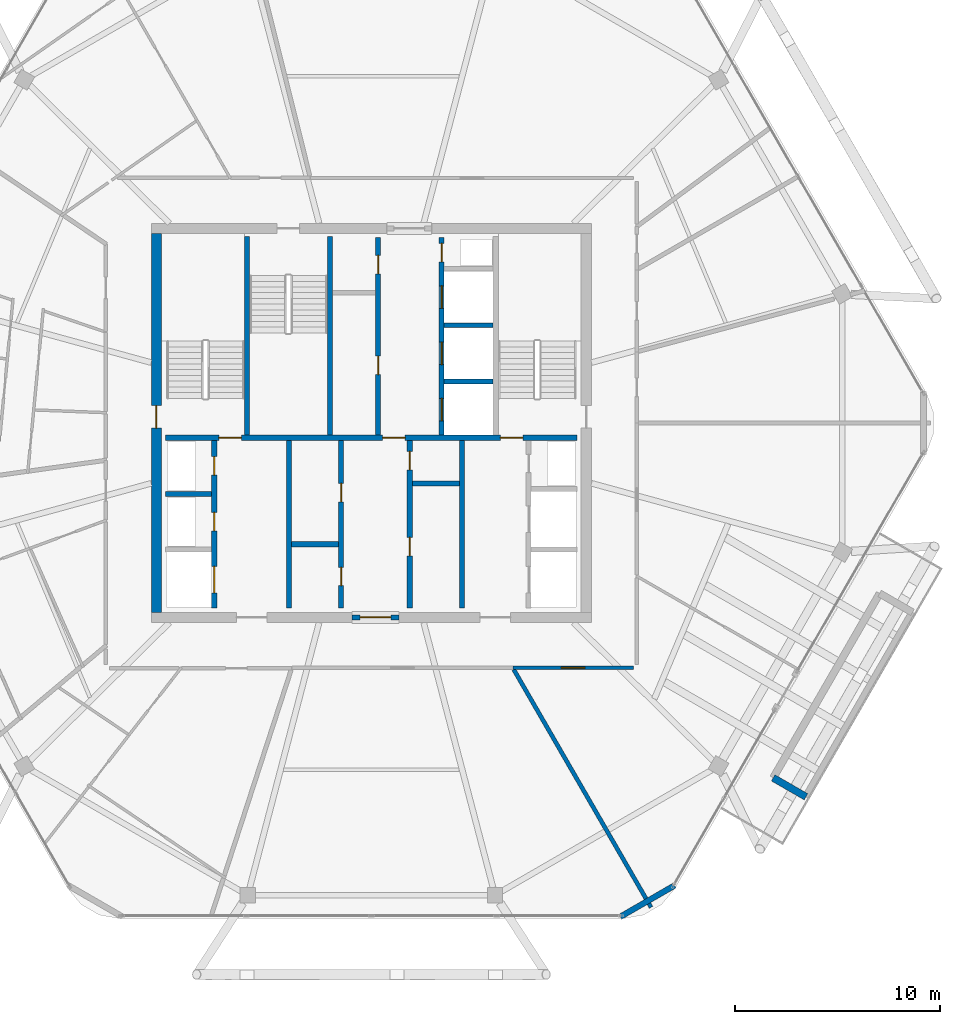
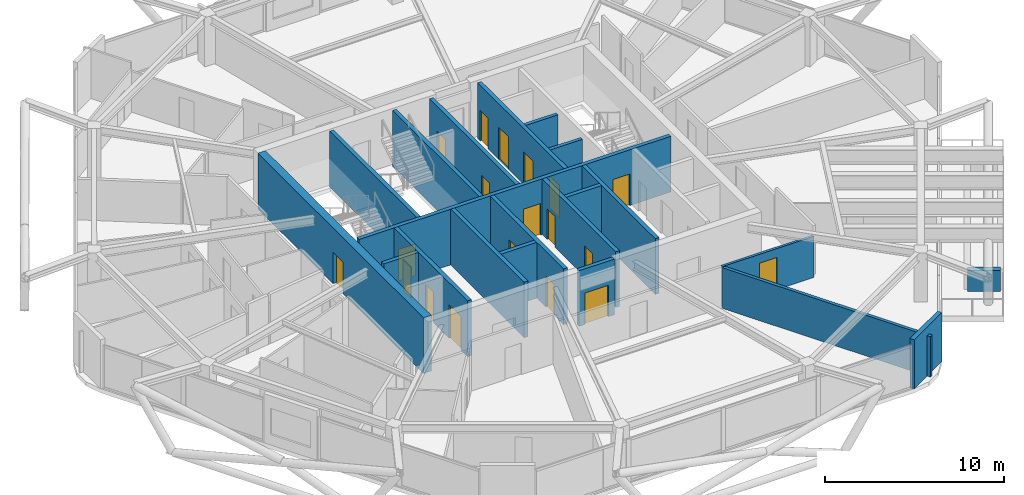
# One storey, part 18 of 23: 21 walls, 19 doors, 19 openings.
"""IFC4 building model written with IfcOpenShell, lengths in metres."""

from ifc_helpers import new_model, si_unit, direction, frame, frame_2d, origin, place, context, subcontext, project, spatial, rectangle, extrude, material, layer, layer_set, type_object, element, fill, save


model = new_model("IFC4")

# Units and contexts
model_context = context("Model", 3, precision=1e-05, world=origin(), true_north=direction((0.0, 1.0)))
body_context = subcontext(model_context, "Body", "Model", "MODEL_VIEW")
ifc_project = project(units=[si_unit("LENGTHUNIT", "METRE"), si_unit("AREAUNIT", "SQUARE_METRE"), si_unit("VOLUMEUNIT", "CUBIC_METRE"), si_unit("PLANEANGLEUNIT", "RADIAN"), si_unit("MASSUNIT", "GRAM", prefix="KILO")], contexts=[model_context])

# Site, building, storey
site_placement = place(None, origin())
site = spatial("IfcSite", under=ifc_project, at=site_placement, CompositionType="ELEMENT")
building_placement = place(site_placement, origin())
building = spatial("IfcBuilding", under=site, at=building_placement, Name="Zuhravey Tower", CompositionType="ELEMENT")
storey_placement = place(building_placement, frame((0.0, 0.0, 353.800048828125)))
storey = spatial("IfcBuildingStorey", under=building, at=storey_placement, Name="L90", CompositionType="ELEMENT", Elevation=353.800048828125)

# Wall, opening, door
ifc_material_1 = material(Name="Concrete C50/60", Category="concrete")
ifc_layer_1 = layer(ifc_material_1, 0.5)
ifc_layer_set_1 = layer_set([ifc_layer_1], Name="Concrete C50/60")
wall_type_1 = type_object("IfcWallType", Name="Core Shear Wall 500", PredefinedType="SHEAR", material=ifc_layer_set_1)
wall_1_placement = place(storey_placement, frame((25.5, 22.75, 0.0), z_axis=(0.0, 0.0, 1.0), x_axis=(0.0, 1.0, 0.0)))
wall_1 = element("IfcWall", 1, at=wall_1_placement, inside=storey, type_object=wall_type_1, Name="L90 West Core Shear Wall CW50", PredefinedType="SHEAR", context=body_context, shape_type="SweptSolid", body=[
    extrude(rectangle(XDim=18.5, YDim=0.5, at=frame_2d((9.25, 0.0))), origin(), (0.0, 0.0, 1.0), 3.800048828125),
])
opening_1_placement = place(wall_1_placement, frame((9.0, 0.0, 0.0)))
opening_1 = element("IfcOpeningElement", 2, at=opening_1_placement, cuts=wall_1, Name="Opening STD1", PredefinedType="OPENING", context=body_context, shape_type="SweptSolid", body=[
    extrude(rectangle(XDim=1.10009765625, YDim=2.14990234375, at=frame_2d((0.550048828125, 1.074951171875))), frame((0.0, 0.261962890625, 0.0), z_axis=(0.0, -1.0, 0.0), x_axis=(1.0, 0.0, 0.0)), (0.0, 0.0, 1.0), 0.52392578125),
])
ifc_material_2 = material(Name="Galvanised fire-rated steel leaf", Category="steel")
door_type_1 = type_object("IfcDoorType", Name="Protected Stair Fire Door 1100x2150", OperationType="NOTDEFINED", PredefinedType="USERDEFINED", material=ifc_material_2)
door_1_placement = place(opening_1_placement, frame((1.10009765625, 0.0, 0.0), z_axis=(0.0, 0.0, 1.0), x_axis=(-1.0, 0.0, 0.0)))
door_1 = element("IfcDoor", 3, at=door_1_placement, inside=storey, type_object=door_type_1, Name="L90 Stair ST1 Door", ObjectType="EXITDOOR", OperationType="SINGLE_SWING_RIGHT", OverallHeight=2.14990234375, OverallWidth=1.10009765625, PredefinedType="USERDEFINED", context=body_context, shape_type="SweptSolid", body=[
    extrude(rectangle(XDim=1.10009765625, YDim=2.14990234375, at=frame_2d((0.550048828125, 1.074951171875))), frame((0.0, 0.02490234375, 0.0), z_axis=(0.0, -1.0, 0.0), x_axis=(1.0, 0.0, 0.0)), (0.0, 0.0, 1.0), 0.050048828125),
])
fill(opening_1, door_1)

ifc_material_3 = material(Name="Gypsum fire-rated stud partition")
ifc_layer_2 = layer(ifc_material_3, 0.159912109375)
ifc_layer_set_2 = layer_set([ifc_layer_2], Name="Gypsum fire-rated stud partition")
wall_type_2 = type_object("IfcWallType", Name="Corridor Fire Partition 160", PredefinedType="PARTITIONING", material=ifc_layer_set_2)
wall_2_placement = place(storey_placement, frame((42.905029296875, 20.0400390625, 0.0), z_axis=(0.0, 0.0, 1.0), x_axis=(1.0, 0.0, 0.0)))
wall_2 = element("IfcWall", 4, at=wall_2_placement, inside=storey, type_object=wall_type_2, Name="L90 IW16 Partition 022", PredefinedType="PARTITIONING", context=body_context, shape_type="SweptSolid", body=[
    extrude(rectangle(XDim=5.89501953125, YDim=0.159912109375, at=frame_2d((2.947509765625, 0.0))), origin(), (0.0, 0.0, 1.0), 2.800048828125),
])
opening_2_placement = place(wall_2_placement, frame((2.372314453125, 0.0, 0.0)))
opening_2 = element("IfcOpeningElement", 5, at=opening_2_placement, cuts=wall_2, Name="Opening CLD1", PredefinedType="OPENING", context=body_context, shape_type="SweptSolid", body=[
    extrude(rectangle(XDim=1.14990234375, YDim=2.199951171875, at=frame_2d((0.574951171875, 1.10009765625))), frame((0.0, 0.092041015625, 0.0), z_axis=(0.0, -1.0, 0.0), x_axis=(1.0, 0.0, 0.0)), (0.0, 0.0, 1.0), 0.183837890625),
])
ifc_material_4 = material(Name="Acoustic timber leaf with vision lite", Category="wood")
door_type_2 = type_object("IfcDoorType", Name="Classroom Acoustic Door 1150x2200", OperationType="NOTDEFINED", PredefinedType="DOOR", material=ifc_material_4)
door_2_placement = place(opening_2_placement, frame((1.14990234375, 0.0, 0.0), z_axis=(0.0, 0.0, 1.0), x_axis=(-1.0, 0.0, 0.0)))
door_2 = element("IfcDoor", 6, at=door_2_placement, inside=storey, type_object=door_type_2, Name="L90 Door 022.1", OperationType="SINGLE_SWING_LEFT", OverallHeight=2.199951171875, OverallWidth=1.14990234375, PredefinedType="DOOR", context=body_context, shape_type="SweptSolid", body=[
    extrude(rectangle(XDim=1.14990234375, YDim=2.199951171875, at=frame_2d((0.574951171875, 1.10009765625))), frame((0.0, 0.02490234375, 0.0), z_axis=(0.0, -1.0, 0.0), x_axis=(1.0, 0.0, 0.0)), (0.0, 0.0, 1.0), 0.050048828125),
])
fill(opening_2, door_2)

# Wall
ifc_material_5 = material(Name="Precast concrete C40/50", Category="concrete")
ifc_layer_3 = layer(ifc_material_5, 0.280029296875)
ifc_layer_set_3 = layer_set([ifc_layer_3], Name="Precast concrete C40/50")
wall_type_3 = type_object("IfcWallType", Name="Crown Architectural Wall 280", PredefinedType="SOLIDWALL", material=ifc_layer_set_3)
wall_3_placement = place(storey_placement, frame((50.811279296875, 9.410888671875, 0.0), z_axis=(0.0, 0.0, 1.0), x_axis=(-0.866023752521, -0.50000286006, 0.0)))
element("IfcWall", 7, at=wall_3_placement, inside=storey, type_object=wall_type_3, Name="L90 Rounded Corner Closure Wall EW28-02", PredefinedType="SOLIDWALL", context=body_context, shape_type="SweptSolid", body=[
    extrude(rectangle(XDim=3.06494140625, YDim=0.280029296875, at=frame_2d((1.532470703125, 0.0))), origin(), (0.0, 0.0, 1.0), 3.349853515625),
])

# Wall, opening, door
ifc_layer_4 = layer(ifc_material_1, 0.25)
ifc_layer_set_4 = layer_set([ifc_layer_4], Name="Concrete C50/60")
wall_type_4 = type_object("IfcWallType", Name="Firefighting Shaft & Stair Wall 250", PredefinedType="SOLIDWALL", material=ifc_layer_set_4)
wall_4_placement = place(storey_placement, frame((35.06005859375, 22.5, 0.0), z_axis=(0.0, 0.0, 1.0), x_axis=(1.0, 0.0, 0.0)))
wall_4 = element("IfcWall", 8, at=wall_4_placement, inside=storey, type_object=wall_type_4, Name="L90 FW25 Shaft Wall 001", PredefinedType="SOLIDWALL", context=body_context, shape_type="SweptSolid", body=[
    extrude(rectangle(XDim=2.280029296875, YDim=0.25, at=frame_2d((1.14013671875, 0.0))), origin(), (0.0, 0.0, 1.0), 3.800048828125),
])
opening_3_placement = place(wall_4_placement, frame((0.389892578125, 0.0, 0.0)))
opening_3 = element("IfcOpeningElement", 9, at=opening_3_placement, cuts=wall_4, Name="Opening FFD1", PredefinedType="OPENING", context=body_context, shape_type="SweptSolid", body=[
    extrude(rectangle(XDim=1.5, YDim=2.14990234375, at=frame_2d((0.75, 1.074951171875))), frame((0.0, 0.136962890625, 0.0), z_axis=(0.0, -1.0, 0.0), x_axis=(1.0, 0.0, 0.0)), (0.0, 0.0, 1.0), 0.27392578125),
])
door_type_3 = type_object("IfcDoorType", Name="Firefighting Lobby Double Door 1500x2150", OperationType="DOUBLE_DOOR_SINGLE_SWING", PredefinedType="DOOR", material=ifc_material_2)
door_3_placement = place(opening_3_placement, frame((1.5, 0.0, 0.0), z_axis=(0.0, 0.0, 1.0), x_axis=(-1.0, 0.0, 0.0)))
door_3 = element("IfcDoor", 10, at=door_3_placement, inside=storey, type_object=door_type_3, Name="L90 South Lift Lobby Exit Door", OperationType="DOUBLE_DOOR_SINGLE_SWING", OverallHeight=2.14990234375, OverallWidth=1.5, PredefinedType="DOOR", context=body_context, shape_type="SweptSolid", body=[
    extrude(rectangle(XDim=1.5, YDim=2.14990234375, at=frame_2d((0.75, 1.074951171875))), frame((0.0, 0.02490234375, 0.0), z_axis=(0.0, -1.0, 0.0), x_axis=(1.0, 0.0, 0.0)), (0.0, 0.0, 1.0), 0.050048828125),
])
fill(opening_3, door_3)

# Wall, openings, doors
wall_5_placement = place(storey_placement, frame((25.949951171875, 31.27490234375, 0.0), z_axis=(0.0, 0.0, 1.0), x_axis=(1.0, 0.0, 0.0)))
wall_5 = element("IfcWall", 11, at=wall_5_placement, inside=storey, type_object=wall_type_4, Name="L90 FW25 Shaft Wall 003", PredefinedType="SOLIDWALL", context=body_context, shape_type="SweptSolid", body=[
    extrude(rectangle(XDim=20.10009765625, YDim=0.25, at=frame_2d((10.050048828125, 0.0))), origin(), (0.0, 0.0, 1.0), 3.800048828125),
])
opening_4_placement = place(wall_5_placement, frame((2.60009765625, 0.0, 0.0)))
opening_4 = element("IfcOpeningElement", 12, at=opening_4_placement, cuts=wall_5, Name="Opening STD1", PredefinedType="OPENING", context=body_context, shape_type="SweptSolid", body=[
    extrude(rectangle(XDim=1.10009765625, YDim=2.14990234375, at=frame_2d((0.550048828125, 1.074951171875))), frame((0.0, 0.136962890625, 0.0), z_axis=(0.0, -1.0, 0.0), x_axis=(1.0, 0.0, 0.0)), (0.0, 0.0, 1.0), 0.27392578125),
])
opening_5_placement = place(wall_5_placement, frame((10.60009765625, 0.0, 0.0)))
opening_5 = element("IfcOpeningElement", 13, at=opening_5_placement, cuts=wall_5, Name="Opening STD1", PredefinedType="OPENING", context=body_context, shape_type="SweptSolid", body=[
    extrude(rectangle(XDim=1.10009765625, YDim=2.14990234375, at=frame_2d((0.550048828125, 1.074951171875))), frame((0.0, 0.136962890625, 0.0), z_axis=(0.0, -1.0, 0.0), x_axis=(1.0, 0.0, 0.0)), (0.0, 0.0, 1.0), 0.27392578125),
])
opening_6_placement = place(wall_5_placement, frame((16.35009765625, 0.0, 0.0)))
opening_6 = element("IfcOpeningElement", 14, at=opening_6_placement, cuts=wall_5, Name="Opening STD1", PredefinedType="OPENING", context=body_context, shape_type="SweptSolid", body=[
    extrude(rectangle(XDim=1.10009765625, YDim=2.14990234375, at=frame_2d((0.550048828125, 1.074951171875))), frame((0.0, 0.136962890625, 0.0), z_axis=(0.0, -1.0, 0.0), x_axis=(1.0, 0.0, 0.0)), (0.0, 0.0, 1.0), 0.27392578125),
])
door_4_placement = place(opening_4_placement, origin())
door_4 = element("IfcDoor", 15, at=door_4_placement, inside=storey, type_object=door_type_1, Name="L90 FFL-W to ST1 Door", ObjectType="EXITDOOR", OperationType="SINGLE_SWING_LEFT", OverallHeight=2.14990234375, OverallWidth=1.10009765625, PredefinedType="USERDEFINED", context=body_context, shape_type="SweptSolid", body=[
    extrude(rectangle(XDim=1.10009765625, YDim=2.14990234375, at=frame_2d((0.550048828125, 1.074951171875))), frame((0.0, 0.02490234375, 0.0), z_axis=(0.0, -1.0, 0.0), x_axis=(1.0, 0.0, 0.0)), (0.0, 0.0, 1.0), 0.050048828125),
])
fill(opening_4, door_4)
door_5_placement = place(opening_5_placement, origin())
door_5 = element("IfcDoor", 16, at=door_5_placement, inside=storey, type_object=door_type_1, Name="L90 Core Lobby Link Door", ObjectType="EXITDOOR", OperationType="SINGLE_SWING_RIGHT", OverallHeight=2.14990234375, OverallWidth=1.10009765625, PredefinedType="USERDEFINED", context=body_context, shape_type="SweptSolid", body=[
    extrude(rectangle(XDim=1.10009765625, YDim=2.14990234375, at=frame_2d((0.550048828125, 1.074951171875))), frame((0.0, 0.02490234375, 0.0), z_axis=(0.0, -1.0, 0.0), x_axis=(1.0, 0.0, 0.0)), (0.0, 0.0, 1.0), 0.050048828125),
])
fill(opening_5, door_5)
door_6_placement = place(opening_6_placement, origin())
door_6 = element("IfcDoor", 17, at=door_6_placement, inside=storey, type_object=door_type_1, Name="L90 FFL-E to ST2 Door", ObjectType="EXITDOOR", OperationType="SINGLE_SWING_LEFT", OverallHeight=2.14990234375, OverallWidth=1.10009765625, PredefinedType="USERDEFINED", context=body_context, shape_type="SweptSolid", body=[
    extrude(rectangle(XDim=1.10009765625, YDim=2.14990234375, at=frame_2d((0.550048828125, 1.074951171875))), frame((0.0, 0.02490234375, 0.0), z_axis=(0.0, -1.0, 0.0), x_axis=(1.0, 0.0, 0.0)), (0.0, 0.0, 1.0), 0.050048828125),
])
fill(opening_6, door_6)

# Walls
for number, where, z_axis, x_axis, name in (
    (18, (29.925048828125, 31.39990234375, 0.0), (0.0, 0.0, 1.0), (0.0, 1.0, 0.0), "L90 FW25 Shaft Wall 004"),
    (19, (33.97509765625, 31.39990234375, 0.0), (0.0, 0.0, 1.0), (0.0, 1.0, 0.0), "L90 FW25 Shaft Wall 005"),
):
    element("IfcWall", number, at=place(storey_placement, frame(where, z_axis=z_axis, x_axis=x_axis)), inside=storey, type_object=wall_type_4, Name=name, PredefinedType="SOLIDWALL", context=body_context, shape_type="SweptSolid", body=[
        extrude(rectangle(XDim=9.7001953125, YDim=0.25, at=frame_2d((4.85009765625, 0.0))), origin(), (0.0, 0.0, 1.0), 3.800048828125),
    ])

# Wall, openings, doors
wall_6_placement = place(storey_placement, frame((36.324951171875, 31.39990234375, 0.0), z_axis=(0.0, 0.0, 1.0), x_axis=(0.0, 1.0, 0.0)))
wall_6 = element("IfcWall", 20, at=wall_6_placement, inside=storey, type_object=wall_type_4, Name="L90 FW25 Shaft Wall 007", PredefinedType="SOLIDWALL", context=body_context, shape_type="SweptSolid", body=[
    extrude(rectangle(XDim=9.650146484375, YDim=0.25, at=frame_2d((4.8251953125, 0.0))), origin(), (0.0, 0.0, 1.0), 3.800048828125),
])
opening_7_placement = place(wall_6_placement, frame((2.965087890625, 0.0, 0.0)))
opening_7 = element("IfcOpeningElement", 21, at=opening_7_placement, cuts=wall_6, Name="Opening RSD1", PredefinedType="OPENING", context=body_context, shape_type="SweptSolid", body=[
    extrude(rectangle(XDim=0.89990234375, YDim=2.10009765625, at=frame_2d((0.449951171875, 1.050048828125))), frame((0.0, 0.136962890625, 0.0), z_axis=(0.0, -1.0, 0.0), x_axis=(1.0, 0.0, 0.0)), (0.0, 0.0, 1.0), 0.27392578125),
])
opening_8_placement = place(wall_6_placement, frame((7.885009765625, 0.0, 0.0)))
opening_8 = element("IfcOpeningElement", 22, at=opening_8_placement, cuts=wall_6, Name="Opening RSD1", PredefinedType="OPENING", context=body_context, shape_type="SweptSolid", body=[
    extrude(rectangle(XDim=0.89990234375, YDim=2.10009765625, at=frame_2d((0.449951171875, 1.050048828125))), frame((0.0, 0.136962890625, 0.0), z_axis=(0.0, -1.0, 0.0), x_axis=(1.0, 0.0, 0.0)), (0.0, 0.0, 1.0), 0.27392578125),
])
ifc_material_6 = material(Name="Galvanised fire-rated steel access leaf", Category="steel")
door_type_4 = type_object("IfcDoorType", Name="Riser & Shaft Access Fire Door 900x2100", OperationType="NOTDEFINED", PredefinedType="DOOR", material=ifc_material_6)
door_7_placement = place(opening_7_placement, origin())
door_7 = element("IfcDoor", 23, at=door_7_placement, inside=storey, type_object=door_type_4, Name="L90 Equipment and Refuse Store Door", OperationType="SINGLE_SWING_RIGHT", OverallHeight=2.10009765625, OverallWidth=0.89990234375, PredefinedType="DOOR", context=body_context, shape_type="SweptSolid", body=[
    extrude(rectangle(XDim=0.89990234375, YDim=2.10009765625, at=frame_2d((0.449951171875, 1.050048828125))), frame((0.0, 0.02490234375, 0.0), z_axis=(0.0, -1.0, 0.0), x_axis=(1.0, 0.0, 0.0)), (0.0, 0.0, 1.0), 0.050048828125),
])
fill(opening_7, door_7)
door_8_placement = place(opening_8_placement, origin())
door_8 = element("IfcDoor", 24, at=door_8_placement, inside=storey, type_object=door_type_4, Name="L90 BMS Control Room Door", OperationType="SINGLE_SWING_LEFT", OverallHeight=2.10009765625, OverallWidth=0.89990234375, PredefinedType="DOOR", context=body_context, shape_type="SweptSolid", body=[
    extrude(rectangle(XDim=0.89990234375, YDim=2.10009765625, at=frame_2d((0.449951171875, 1.050048828125))), frame((0.0, 0.02490234375, 0.0), z_axis=(0.0, -1.0, 0.0), x_axis=(1.0, 0.0, 0.0)), (0.0, 0.0, 1.0), 0.050048828125),
])
fill(opening_8, door_8)

wall_7_placement = place(storey_placement, frame((39.425048828125, 31.39990234375, 0.0), z_axis=(0.0, 0.0, 1.0), x_axis=(0.0, 1.0, 0.0)))
wall_7 = element("IfcWall", 25, at=wall_7_placement, inside=storey, type_object=wall_type_4, Name="L90 FW25 Shaft Wall 008", PredefinedType="SOLIDWALL", context=body_context, shape_type="SweptSolid", body=[
    extrude(rectangle(XDim=9.650146484375, YDim=0.25, at=frame_2d((4.8251953125, 0.0))), origin(), (0.0, 0.0, 1.0), 3.800048828125),
])
opening_9_placement = place(wall_7_placement, frame((0.699951171875, 0.0, 0.0)))
opening_9 = element("IfcOpeningElement", 26, at=opening_9_placement, cuts=wall_7, Name="Opening LD1", PredefinedType="OPENING", context=body_context, shape_type="SweptSolid", body=[
    extrude(rectangle(XDim=1.10009765625, YDim=2.199951171875, at=frame_2d((0.550048828125, 1.10009765625))), frame((0.0, 0.136962890625, 0.0), z_axis=(0.0, -1.0, 0.0), x_axis=(1.0, 0.0, 0.0)), (0.0, 0.0, 1.0), 0.27392578125),
])
opening_10_placement = place(wall_7_placement, frame((3.449951171875, 0.0, 0.0)))
opening_10 = element("IfcOpeningElement", 27, at=opening_10_placement, cuts=wall_7, Name="Opening LD1", PredefinedType="OPENING", context=body_context, shape_type="SweptSolid", body=[
    extrude(rectangle(XDim=1.10009765625, YDim=2.199951171875, at=frame_2d((0.550048828125, 1.10009765625))), frame((0.0, 0.136962890625, 0.0), z_axis=(0.0, -1.0, 0.0), x_axis=(1.0, 0.0, 0.0)), (0.0, 0.0, 1.0), 0.27392578125),
])
opening_11_placement = place(wall_7_placement, frame((6.199951171875, 0.0, 0.0)))
opening_11 = element("IfcOpeningElement", 28, at=opening_11_placement, cuts=wall_7, Name="Opening LD1", PredefinedType="OPENING", context=body_context, shape_type="SweptSolid", body=[
    extrude(rectangle(XDim=1.10009765625, YDim=2.199951171875, at=frame_2d((0.550048828125, 1.10009765625))), frame((0.0, 0.136962890625, 0.0), z_axis=(0.0, -1.0, 0.0), x_axis=(1.0, 0.0, 0.0)), (0.0, 0.0, 1.0), 0.27392578125),
])
opening_12_placement = place(wall_7_placement, frame((8.469970703125, 0.0, 0.0)))
opening_12 = element("IfcOpeningElement", 29, at=opening_12_placement, cuts=wall_7, Name="Opening RSD1", PredefinedType="OPENING", context=body_context, shape_type="SweptSolid", body=[
    extrude(rectangle(XDim=0.89990234375, YDim=2.10009765625, at=frame_2d((0.449951171875, 1.050048828125))), frame((0.0, 0.136962890625, 0.0), z_axis=(0.0, -1.0, 0.0), x_axis=(1.0, 0.0, 0.0)), (0.0, 0.0, 1.0), 0.27392578125),
])
ifc_material_7 = material(Name="Brushed stainless steel", Category="steel")
door_type_5 = type_object("IfcDoorType", Name="Lift Landing Sliding Door 1100x2200", OperationType="DOUBLE_DOOR_SLIDING", PredefinedType="DOOR", material=ifc_material_7)
door_9_placement = place(opening_9_placement, origin())
door_9 = element("IfcDoor", 30, at=door_9_placement, inside=storey, type_object=door_type_5, Name="L90 Lift PL7 Landing Door", OperationType="DOUBLE_DOOR_SLIDING", OverallHeight=2.199951171875, OverallWidth=1.10009765625, PredefinedType="DOOR", context=body_context, shape_type="SweptSolid", body=[
    extrude(rectangle(XDim=1.10009765625, YDim=2.199951171875, at=frame_2d((0.550048828125, 1.10009765625))), frame((0.0, 0.02490234375, 0.0), z_axis=(0.0, -1.0, 0.0), x_axis=(1.0, 0.0, 0.0)), (0.0, 0.0, 1.0), 0.050048828125),
])
fill(opening_9, door_9)
door_10_placement = place(opening_10_placement, origin())
door_10 = element("IfcDoor", 31, at=door_10_placement, inside=storey, type_object=door_type_5, Name="L90 Lift PL8 Landing Door", OperationType="DOUBLE_DOOR_SLIDING", OverallHeight=2.199951171875, OverallWidth=1.10009765625, PredefinedType="DOOR", context=body_context, shape_type="SweptSolid", body=[
    extrude(rectangle(XDim=1.10009765625, YDim=2.199951171875, at=frame_2d((0.550048828125, 1.10009765625))), frame((0.0, 0.02490234375, 0.0), z_axis=(0.0, -1.0, 0.0), x_axis=(1.0, 0.0, 0.0)), (0.0, 0.0, 1.0), 0.050048828125),
])
fill(opening_10, door_10)
door_11_placement = place(opening_11_placement, origin())
door_11 = element("IfcDoor", 32, at=door_11_placement, inside=storey, type_object=door_type_5, Name="L90 Lift PL9 Landing Door", OperationType="DOUBLE_DOOR_SLIDING", OverallHeight=2.199951171875, OverallWidth=1.10009765625, PredefinedType="DOOR", context=body_context, shape_type="SweptSolid", body=[
    extrude(rectangle(XDim=1.10009765625, YDim=2.199951171875, at=frame_2d((0.550048828125, 1.10009765625))), frame((0.0, 0.02490234375, 0.0), z_axis=(0.0, -1.0, 0.0), x_axis=(1.0, 0.0, 0.0)), (0.0, 0.0, 1.0), 0.050048828125),
])
fill(opening_11, door_11)
door_12_placement = place(opening_12_placement, origin())
door_12 = element("IfcDoor", 33, at=door_12_placement, inside=storey, type_object=door_type_4, Name="L90 North Riser Door", OperationType="SINGLE_SWING_RIGHT", OverallHeight=2.10009765625, OverallWidth=0.89990234375, PredefinedType="DOOR", context=body_context, shape_type="SweptSolid", body=[
    extrude(rectangle(XDim=0.89990234375, YDim=2.10009765625, at=frame_2d((0.449951171875, 1.050048828125))), frame((0.0, 0.02490234375, 0.0), z_axis=(0.0, -1.0, 0.0), x_axis=(1.0, 0.0, 0.0)), (0.0, 0.0, 1.0), 0.050048828125),
])
fill(opening_12, door_12)

# Wall
wall_8_placement = place(storey_placement, frame((25.949951171875, 28.52490234375, 0.0), z_axis=(0.0, 0.0, 1.0), x_axis=(1.0, 0.0, 0.0)))
element("IfcWall", 34, at=wall_8_placement, inside=storey, type_object=wall_type_4, Name="L90 FW25 Shaft Wall 010", PredefinedType="SOLIDWALL", context=body_context, shape_type="SweptSolid", body=[
    extrude(rectangle(XDim=2.25, YDim=0.25, at=frame_2d((1.125, 0.0))), origin(), (0.0, 0.0, 1.0), 3.800048828125),
])

# Wall, openings, doors
wall_9_placement = place(storey_placement, frame((28.324951171875, 22.949951171875, 0.0), z_axis=(0.0, 0.0, 1.0), x_axis=(0.0, 1.0, 0.0)))
wall_9 = element("IfcWall", 35, at=wall_9_placement, inside=storey, type_object=wall_type_4, Name="L90 FW25 Shaft Wall 011", PredefinedType="SOLIDWALL", context=body_context, shape_type="SweptSolid", body=[
    extrude(rectangle(XDim=8.199951171875, YDim=0.25, at=frame_2d((4.10009765625, 0.0))), origin(), (0.0, 0.0, 1.0), 3.800048828125),
])
opening_13_placement = place(wall_9_placement, frame((0.75, 0.0, 0.0)))
opening_13 = element("IfcOpeningElement", 36, at=opening_13_placement, cuts=wall_9, Name="Opening LD2", PredefinedType="OPENING", context=body_context, shape_type="SweptSolid", body=[
    extrude(rectangle(XDim=1.300048828125, YDim=2.300048828125, at=frame_2d((0.64990234375, 1.14990234375))), frame((0.0, 0.136962890625, 0.0), z_axis=(0.0, -1.0, 0.0), x_axis=(1.0, 0.0, 0.0)), (0.0, 0.0, 1.0), 0.27392578125),
])
opening_14_placement = place(wall_9_placement, frame((3.780029296875, 0.0, 0.0)))
opening_14 = element("IfcOpeningElement", 37, at=opening_14_placement, cuts=wall_9, Name="Opening RSD1", PredefinedType="OPENING", context=body_context, shape_type="SweptSolid", body=[
    extrude(rectangle(XDim=0.89990234375, YDim=2.10009765625, at=frame_2d((0.449951171875, 1.050048828125))), frame((0.0, 0.136962890625, 0.0), z_axis=(0.0, -1.0, 0.0), x_axis=(1.0, 0.0, 0.0)), (0.0, 0.0, 1.0), 0.27392578125),
])
opening_15_placement = place(wall_9_placement, frame((6.5, 0.0, 0.0)))
opening_15 = element("IfcOpeningElement", 38, at=opening_15_placement, cuts=wall_9, Name="Opening RSD1", PredefinedType="OPENING", context=body_context, shape_type="SweptSolid", body=[
    extrude(rectangle(XDim=0.89990234375, YDim=2.10009765625, at=frame_2d((0.449951171875, 1.050048828125))), frame((0.0, 0.136962890625, 0.0), z_axis=(0.0, -1.0, 0.0), x_axis=(1.0, 0.0, 0.0)), (0.0, 0.0, 1.0), 0.27392578125),
])
door_type_6 = type_object("IfcDoorType", Name="Freight & Stretcher Lift Sliding Door 1300x2300", OperationType="DOUBLE_DOOR_SLIDING", PredefinedType="DOOR", material=ifc_material_7)
door_13_placement = place(opening_13_placement, frame((1.300048828125, 0.0, 0.0), z_axis=(0.0, 0.0, 1.0), x_axis=(-1.0, 0.0, 0.0)))
door_13 = element("IfcDoor", 39, at=door_13_placement, inside=storey, type_object=door_type_6, Name="L90 Lift FF1 Landing Door", OperationType="DOUBLE_DOOR_SLIDING", OverallHeight=2.300048828125, OverallWidth=1.300048828125, PredefinedType="DOOR", context=body_context, shape_type="SweptSolid", body=[
    extrude(rectangle(XDim=1.300048828125, YDim=2.300048828125, at=frame_2d((0.64990234375, 1.14990234375))), frame((0.0, 0.02490234375, 0.0), z_axis=(0.0, -1.0, 0.0), x_axis=(1.0, 0.0, 0.0)), (0.0, 0.0, 1.0), 0.050048828125),
])
fill(opening_13, door_13)
door_14_placement = place(opening_14_placement, frame((0.89990234375, 0.0, 0.0), z_axis=(0.0, 0.0, 1.0), x_axis=(-1.0, 0.0, 0.0)))
door_14 = element("IfcDoor", 40, at=door_14_placement, inside=storey, type_object=door_type_4, Name="L90 Electrical Riser Door", OperationType="SINGLE_SWING_LEFT", OverallHeight=2.10009765625, OverallWidth=0.89990234375, PredefinedType="DOOR", context=body_context, shape_type="SweptSolid", body=[
    extrude(rectangle(XDim=0.89990234375, YDim=2.10009765625, at=frame_2d((0.449951171875, 1.050048828125))), frame((0.0, 0.02490234375, 0.0), z_axis=(0.0, -1.0, 0.0), x_axis=(1.0, 0.0, 0.0)), (0.0, 0.0, 1.0), 0.050048828125),
])
fill(opening_14, door_14)
door_15_placement = place(opening_15_placement, frame((0.89990234375, 0.0, 0.0), z_axis=(0.0, 0.0, 1.0), x_axis=(-1.0, 0.0, 0.0)))
door_15 = element("IfcDoor", 41, at=door_15_placement, inside=storey, type_object=door_type_4, Name="L90 Smoke Shaft Access Door", OperationType="SINGLE_SWING_RIGHT", OverallHeight=2.10009765625, OverallWidth=0.89990234375, PredefinedType="DOOR", context=body_context, shape_type="SweptSolid", body=[
    extrude(rectangle(XDim=0.89990234375, YDim=2.10009765625, at=frame_2d((0.449951171875, 1.050048828125))), frame((0.0, 0.02490234375, 0.0), z_axis=(0.0, -1.0, 0.0), x_axis=(1.0, 0.0, 0.0)), (0.0, 0.0, 1.0), 0.050048828125),
])
fill(opening_15, door_15)

# Walls
wall_10_placement = place(storey_placement, frame((31.97509765625, 22.949951171875, 0.0), z_axis=(0.0, 0.0, 1.0), x_axis=(0.0, 1.0, 0.0)))
element("IfcWall", 42, at=wall_10_placement, inside=storey, type_object=wall_type_4, Name="L90 FW25 Shaft Wall 012", PredefinedType="SOLIDWALL", context=body_context, shape_type="SweptSolid", body=[
    extrude(rectangle(XDim=8.199951171875, YDim=0.25, at=frame_2d((4.10009765625, 0.0))), origin(), (0.0, 0.0, 1.0), 3.800048828125),
])
wall_11_placement = place(storey_placement, frame((32.10009765625, 26.074951171875, 0.0), z_axis=(0.0, 0.0, 1.0), x_axis=(1.0, 0.0, 0.0)))
element("IfcWall", 43, at=wall_11_placement, inside=storey, type_object=wall_type_4, Name="L90 FW25 Shaft Wall 013", PredefinedType="SOLIDWALL", context=body_context, shape_type="SweptSolid", body=[
    extrude(rectangle(XDim=2.2998046875, YDim=0.25, at=frame_2d((1.14990234375, 0.0))), origin(), (0.0, 0.0, 1.0), 3.800048828125),
])

# Wall, openings, doors
wall_12_placement = place(storey_placement, frame((34.52490234375, 22.949951171875, 0.0), z_axis=(0.0, 0.0, 1.0), x_axis=(0.0, 1.0, 0.0)))
wall_12 = element("IfcWall", 44, at=wall_12_placement, inside=storey, type_object=wall_type_4, Name="L90 FW25 Shaft Wall 014", PredefinedType="SOLIDWALL", context=body_context, shape_type="SweptSolid", body=[
    extrude(rectangle(XDim=8.199951171875, YDim=0.25, at=frame_2d((4.10009765625, 0.0))), origin(), (0.0, 0.0, 1.0), 3.800048828125),
])
opening_16_placement = place(wall_12_placement, frame((1.10009765625, 0.0, 0.0)))
opening_16 = element("IfcOpeningElement", 45, at=opening_16_placement, cuts=wall_12, Name="Opening RSD1", PredefinedType="OPENING", context=body_context, shape_type="SweptSolid", body=[
    extrude(rectangle(XDim=0.89990234375, YDim=2.10009765625, at=frame_2d((0.449951171875, 1.050048828125))), frame((0.0, 0.136962890625, 0.0), z_axis=(0.0, -1.0, 0.0), x_axis=(1.0, 0.0, 0.0)), (0.0, 0.0, 1.0), 0.27392578125),
])
opening_17_placement = place(wall_12_placement, frame((5.199951171875, 0.0, 0.0)))
opening_17 = element("IfcOpeningElement", 46, at=opening_17_placement, cuts=wall_12, Name="Opening RSD1", PredefinedType="OPENING", context=body_context, shape_type="SweptSolid", body=[
    extrude(rectangle(XDim=0.89990234375, YDim=2.10009765625, at=frame_2d((0.449951171875, 1.050048828125))), frame((0.0, 0.136962890625, 0.0), z_axis=(0.0, -1.0, 0.0), x_axis=(1.0, 0.0, 0.0)), (0.0, 0.0, 1.0), 0.27392578125),
])
door_16_placement = place(opening_16_placement, origin())
door_16 = element("IfcDoor", 47, at=door_16_placement, inside=storey, type_object=door_type_4, Name="L90 Metering Room Door", OperationType="SINGLE_SWING_LEFT", OverallHeight=2.10009765625, OverallWidth=0.89990234375, PredefinedType="DOOR", context=body_context, shape_type="SweptSolid", body=[
    extrude(rectangle(XDim=0.89990234375, YDim=2.10009765625, at=frame_2d((0.449951171875, 1.050048828125))), frame((0.0, 0.02490234375, 0.0), z_axis=(0.0, -1.0, 0.0), x_axis=(1.0, 0.0, 0.0)), (0.0, 0.0, 1.0), 0.050048828125),
])
fill(opening_16, door_16)
door_17_placement = place(opening_17_placement, origin())
door_17 = element("IfcDoor", 48, at=door_17_placement, inside=storey, type_object=door_type_4, Name="L90 Housekeeping Supply Door", OperationType="SINGLE_SWING_RIGHT", OverallHeight=2.10009765625, OverallWidth=0.89990234375, PredefinedType="DOOR", context=body_context, shape_type="SweptSolid", body=[
    extrude(rectangle(XDim=0.89990234375, YDim=2.10009765625, at=frame_2d((0.449951171875, 1.050048828125))), frame((0.0, 0.02490234375, 0.0), z_axis=(0.0, -1.0, 0.0), x_axis=(1.0, 0.0, 0.0)), (0.0, 0.0, 1.0), 0.050048828125),
])
fill(opening_17, door_17)

# Wall
wall_13_placement = place(storey_placement, frame((38.0, 29.050048828125, 0.0), z_axis=(0.0, 0.0, 1.0), x_axis=(1.0, 0.0, 0.0)))
element("IfcWall", 49, at=wall_13_placement, inside=storey, type_object=wall_type_4, Name="L90 FW25 Shaft Wall 015", PredefinedType="SOLIDWALL", context=body_context, shape_type="SweptSolid", body=[
    extrude(rectangle(XDim=2.300048828125, YDim=0.25, at=frame_2d((1.14990234375, 0.0))), origin(), (0.0, 0.0, 1.0), 3.800048828125),
])

# Wall, openings, doors
wall_14_placement = place(storey_placement, frame((37.875, 22.949951171875, 0.0), z_axis=(0.0, 0.0, 1.0), x_axis=(0.0, 1.0, 0.0)))
wall_14 = element("IfcWall", 50, at=wall_14_placement, inside=storey, type_object=wall_type_4, Name="L90 FW25 Shaft Wall 016", PredefinedType="SOLIDWALL", context=body_context, shape_type="SweptSolid", body=[
    extrude(rectangle(XDim=8.199951171875, YDim=0.25, at=frame_2d((4.10009765625, 0.0))), origin(), (0.0, 0.0, 1.0), 3.800048828125),
])
opening_18_placement = place(wall_14_placement, frame((2.5625, 0.0, 0.0)))
opening_18 = element("IfcOpeningElement", 51, at=opening_18_placement, cuts=wall_14, Name="Opening RSD1", PredefinedType="OPENING", context=body_context, shape_type="SweptSolid", body=[
    extrude(rectangle(XDim=0.89990234375, YDim=2.10009765625, at=frame_2d((0.449951171875, 1.050048828125))), frame((0.0, 0.136962890625, 0.0), z_axis=(0.0, -1.0, 0.0), x_axis=(1.0, 0.0, 0.0)), (0.0, 0.0, 1.0), 0.27392578125),
])
opening_19_placement = place(wall_14_placement, frame((6.762451171875, 0.0, 0.0)))
opening_19 = element("IfcOpeningElement", 52, at=opening_19_placement, cuts=wall_14, Name="Opening RSD1", PredefinedType="OPENING", context=body_context, shape_type="SweptSolid", body=[
    extrude(rectangle(XDim=0.89990234375, YDim=2.10009765625, at=frame_2d((0.449951171875, 1.050048828125))), frame((0.0, 0.136962890625, 0.0), z_axis=(0.0, -1.0, 0.0), x_axis=(1.0, 0.0, 0.0)), (0.0, 0.0, 1.0), 0.27392578125),
])
door_18_placement = place(opening_18_placement, frame((0.89990234375, 0.0, 0.0), z_axis=(0.0, 0.0, 1.0), x_axis=(-1.0, 0.0, 0.0)))
door_18 = element("IfcDoor", 53, at=door_18_placement, inside=storey, type_object=door_type_4, Name="L90 Trunk Store Door", OperationType="SINGLE_SWING_LEFT", OverallHeight=2.10009765625, OverallWidth=0.89990234375, PredefinedType="DOOR", context=body_context, shape_type="SweptSolid", body=[
    extrude(rectangle(XDim=0.89990234375, YDim=2.10009765625, at=frame_2d((0.449951171875, 1.050048828125))), frame((0.0, 0.02490234375, 0.0), z_axis=(0.0, -1.0, 0.0), x_axis=(1.0, 0.0, 0.0)), (0.0, 0.0, 1.0), 0.050048828125),
])
fill(opening_18, door_18)
door_19_placement = place(opening_19_placement, frame((0.89990234375, 0.0, 0.0), z_axis=(0.0, 0.0, 1.0), x_axis=(-1.0, 0.0, 0.0)))
door_19 = element("IfcDoor", 54, at=door_19_placement, inside=storey, type_object=door_type_4, Name="L90 Fiber Room Door", OperationType="SINGLE_SWING_RIGHT", OverallHeight=2.10009765625, OverallWidth=0.89990234375, PredefinedType="DOOR", context=body_context, shape_type="SweptSolid", body=[
    extrude(rectangle(XDim=0.89990234375, YDim=2.10009765625, at=frame_2d((0.449951171875, 1.050048828125))), frame((0.0, 0.02490234375, 0.0), z_axis=(0.0, -1.0, 0.0), x_axis=(1.0, 0.0, 0.0)), (0.0, 0.0, 1.0), 0.050048828125),
])
fill(opening_19, door_19)

# Walls
wall_15_placement = place(storey_placement, frame((40.425048828125, 22.949951171875, 0.0), z_axis=(0.0, 0.0, 1.0), x_axis=(0.0, 1.0, 0.0)))
element("IfcWall", 55, at=wall_15_placement, inside=storey, type_object=wall_type_4, Name="L90 FW25 Shaft Wall 017", PredefinedType="SOLIDWALL", context=body_context, shape_type="SweptSolid", body=[
    extrude(rectangle(XDim=8.199951171875, YDim=0.25, at=frame_2d((4.10009765625, 0.0))), origin(), (0.0, 0.0, 1.0), 3.800048828125),
])
ifc_material_8 = material(Name="Gypsum double-stud party assembly")
ifc_layer_5 = layer(ifc_material_8, 0.199951171875)
ifc_layer_set_5 = layer_set([ifc_layer_5], Name="Gypsum double-stud party assembly")
wall_type_5 = type_object("IfcWallType", Name="Inter-Tenancy Party Wall 200", PredefinedType="PARTITIONING", material=ifc_layer_set_5)
wall_16_placement = place(storey_placement, frame((42.9560546875, 19.951904296875, 0.0), z_axis=(0.0, 0.0, 1.0), x_axis=(0.499999361477, -0.866025772436, 0.0)))
element("IfcWall", 56, at=wall_16_placement, inside=storey, type_object=wall_type_5, Name="L90 IW20 Partition 049", PredefinedType="PARTITIONING", context=body_context, shape_type="SweptSolid", body=[
    extrude(rectangle(XDim=13.40673828125, YDim=0.199951171875, at=frame_2d((6.703369140625, 0.0))), origin(), (0.0, 0.0, 1.0), 2.77001953125),
])
ifc_material_9 = material(Name="Gypsum acoustic stud assembly")
ifc_layer_6 = layer(ifc_material_9, 0.219970703125)
ifc_layer_set_6 = layer_set([ifc_layer_6], Name="Gypsum acoustic stud assembly")
wall_type_6 = type_object("IfcWallType", Name="School Acoustic Compartment Wall 220", PredefinedType="PARTITIONING", material=ifc_layer_set_6)
for number, where, z_axis, x_axis, name in (
    (57, (39.55810546875, 34.02490234375, 0.0), (0.0, 0.0, 1.0), (1.0, 0.0, 0.0), "L90 IW22 Partition 046"),
    (58, (39.55810546875, 36.77490234375, 0.0), (0.0, 0.0, 1.0), (1.0, 0.0, 0.0), "L90 IW22 Partition 047"),
):
    element("IfcWall", number, at=place(storey_placement, frame(where, z_axis=z_axis, x_axis=x_axis)), inside=storey, type_object=wall_type_6, Name=name, PredefinedType="PARTITIONING", context=body_context, shape_type="SweptSolid", body=[
        extrude(rectangle(XDim=2.3837890625, YDim=0.219970703125, at=frame_2d((1.19189453125, 0.0))), origin(), (0.0, 0.0, 1.0), 3.349853515625),
    ])
ifc_layer_7 = layer(ifc_material_1, 0.35009765625)
ifc_layer_set_7 = layer_set([ifc_layer_7], Name="Concrete C50/60")
wall_type_7 = type_object("IfcWallType", Name="Sky-Pool Basin Wall 350", PredefinedType="SOLIDWALL", material=ifc_layer_set_7)
wall_17_placement = place(storey_placement, frame((57.227783203125, 13.739501953125, 0.0), z_axis=(0.0, 0.0, 1.0), x_axis=(-0.866000971088, 0.500042316284, 0.0)))
element("IfcWall", 59, at=wall_17_placement, inside=storey, type_object=wall_type_7, Name="L90 Sky-Pool Weir Wall SPW1-4", PredefinedType="SOLIDWALL", context=body_context, shape_type="SweptSolid", body=[
    extrude(rectangle(XDim=1.849853515625, YDim=0.35009765625, at=frame_2d((0.9248046875, 0.0))), origin(), (0.0, 0.0, 1.0), 1.39990234375),
])

save(model, "model.ifc")
